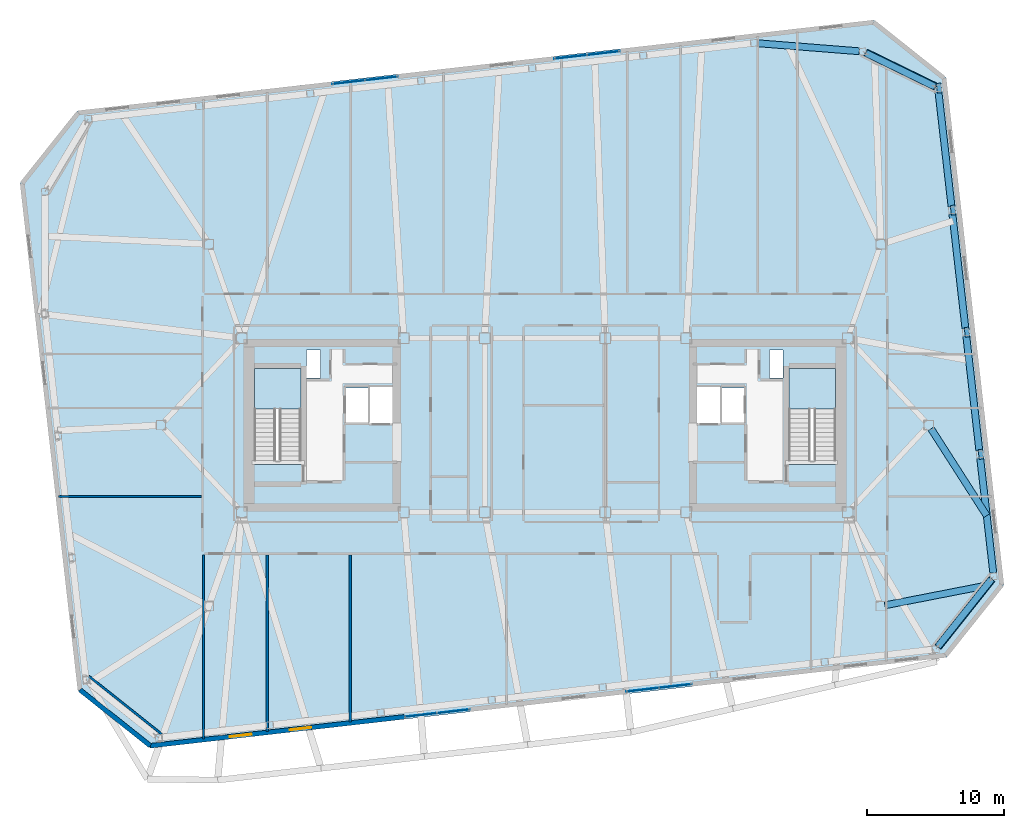
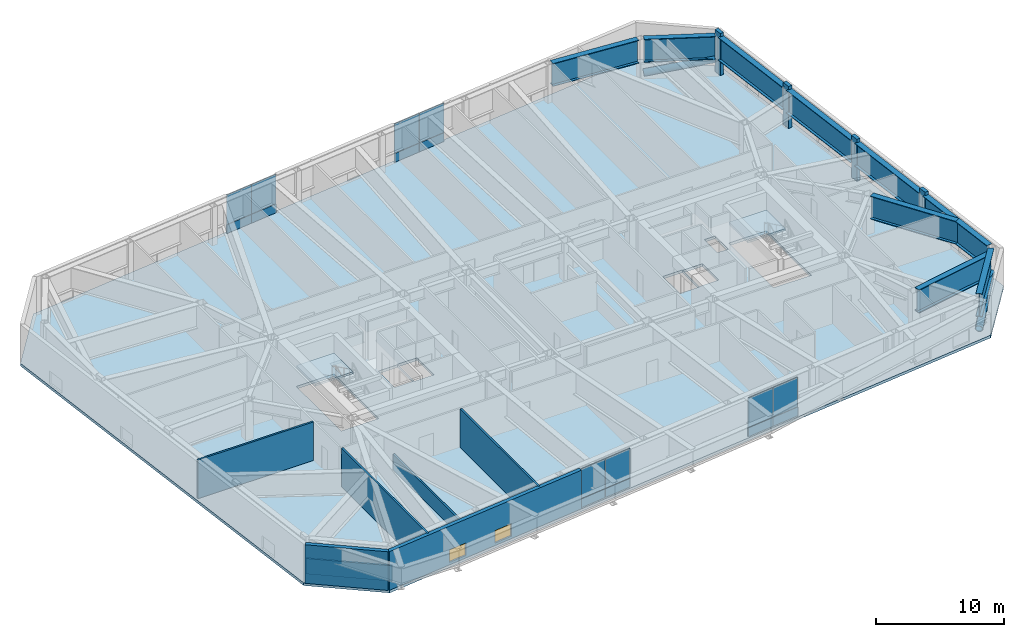
# One storey, part 11 of 18: 16 plates, 9 beams, 7 walls, 6 members, 3 slabs, 2 windows, 2 openings, 6 elements without a shape of their own.
"""IFC4 building model written with IfcOpenShell, lengths in metres."""

from ifc_helpers import new_model, si_unit, direction, frame, frame_2d, origin, origin_2d, place, context, subcontext, project, spatial, polyline, rectangle, hollow_circle, i_section, outline, extrude, material, layer, layer_set, material_profile, profile_set, type_object, element, fill, aggregate, save


model = new_model("IFC4")

# Units and contexts
model_context = context("Model", 3, precision=1e-05, world=origin(), true_north=direction((0.0, 1.0)))
body_context = subcontext(model_context, "Body", "Model", "MODEL_VIEW")
ifc_project = project(units=[si_unit("LENGTHUNIT", "METRE"), si_unit("AREAUNIT", "SQUARE_METRE"), si_unit("VOLUMEUNIT", "CUBIC_METRE"), si_unit("PLANEANGLEUNIT", "RADIAN"), si_unit("MASSUNIT", "GRAM", prefix="KILO")], contexts=[model_context])

# Site, building, storey
site_placement = place(None, origin())
site = spatial("IfcSite", under=ifc_project, at=site_placement, CompositionType="ELEMENT")
building_placement = place(site_placement, origin())
building = spatial("IfcBuilding", under=site, at=building_placement, Name="Tavrogorsk Clinical Tower", CompositionType="ELEMENT")
storey_placement = place(building_placement, frame((0.0, 0.0, 267.0)))
storey = spatial("IfcBuildingStorey", under=building, at=storey_placement, Name="L62", CompositionType="ELEMENT", Elevation=267.0)

# Members
ifc_material_1 = material(Name="Structural steel S440", Category="steel")
ifc_material_profile_1 = material_profile(ifc_material_1, hollow_circle(Radius=0.304931640625, WallThickness=0.02490234375, at=origin_2d()), Name="CHS-610x25")
ifc_profile_set_1 = profile_set([ifc_material_profile_1], Name="Structural steel S440")
member_type_1 = type_object("IfcMemberType", Name="ExoBrace_CHS610", PredefinedType="BRACE", material=ifc_profile_set_1)
member_1_placement = place(storey_placement, frame((28.6669921875, -16.146240234375, 0.34228515625), z_axis=(0.614073282176, 0.771973457225, 0.164228455079), x_axis=(-0.782599332136, 0.622525730665, 0.0)))
element("IfcMember", 1, at=member_1_placement, inside=storey, type_object=member_type_1, Name="L62 Corner Exoskeleton Brace S8-E1", PredefinedType="BRACE", context=body_context, shape_type="SweptSolid", body=[
    extrude(hollow_circle(Radius=0.304931640625, WallThickness=0.02490234375, at=origin_2d()), origin(), (0.0, 0.0, 1.0), 6.365478515625),
])
member_2_placement = place(storey_placement, frame((23.416259765625, 27.14208984375, 0.346923828125), z_axis=(0.883834460699, -0.430963085081, 0.181954569547), x_axis=(0.438279308687, 0.898838832927, 0.0)))
element("IfcMember", 2, at=member_2_placement, inside=storey, type_object=member_type_1, Name="L62 Corner Exoskeleton Brace E5-N1", PredefinedType="BRACE", context=body_context, shape_type="SweptSolid", body=[
    extrude(hollow_circle(Radius=0.304931640625, WallThickness=0.02490234375, at=origin_2d()), origin(), (0.0, 0.0, 1.0), 5.694580078125),
])
ifc_material_2 = material(Name="Precast concrete B45 with limestone cladding", Category="masonry")
ifc_material_profile_2 = material_profile(ifc_material_2, rectangle(XDim=0.320068359375, YDim=0.719970703125, at=origin_2d()), Name="LIMESTONE-FIN-320x720")
ifc_profile_set_2 = profile_set([ifc_material_profile_2], Name="Precast concrete B45 with limestone cladding")
member_type_2 = type_object("IfcMemberType", Name="LimestonePleatFin_320x720", PredefinedType="USERDEFINED", material=ifc_profile_set_2)
for number, where, z_axis, x_axis, name in (
    (3, (31.799560546875, -2.121337890625, 0.0), (0.0, 0.0, 1.0), (0.993571855677, 0.113203213768, 0.0), "L62 E Pleated Stone Fin 1"),
    (4, (30.785400390625, 6.781005859375, 0.0), (0.0, 0.0, 1.0), (0.993571855677, 0.113203213768, 0.0), "L62 E Pleated Stone Fin 2"),
    (5, (29.77099609375, 15.683349609375, 0.0), (0.0, 0.0, 1.0), (0.993571855677, 0.113203213768, 0.0), "L62 E Pleated Stone Fin 3"),
    (6, (28.756591796875, 24.585693359375, 0.0), (0.0, 0.0, 1.0), (0.993571855677, 0.113203213768, 0.0), "L62 E Pleated Stone Fin 4"),
):
    element("IfcMember", number, at=place(storey_placement, frame(where, z_axis=z_axis, x_axis=x_axis)), inside=storey, type_object=member_type_2, Name=name, ObjectType="FIN", PredefinedType="USERDEFINED", context=body_context, shape_type="SweptSolid", body=[
        extrude(rectangle(XDim=0.320068359375, YDim=0.719970703125, at=origin_2d()), origin(), (0.0, 0.0, 1.0), 4.0),
    ])

# Beams
ifc_material_3 = material(Name="Structural steel S440", Category="steel")
ifc_material_profile_3 = material_profile(ifc_material_3, i_section(OverallWidth=0.5, OverallDepth=2.199951171875, WebThickness=0.035888671875, FlangeThickness=0.054931640625, at=origin_2d()), Name="DK-2200x500x36x55")
ifc_profile_set_3 = profile_set([ifc_material_profile_3], Name="Structural steel S440")
beam_type = type_object("IfcBeamType", Name="TransferGirder_DK2200", PredefinedType="USERDEFINED", material=ifc_profile_set_3)
beam_1_placement = place(storey_placement, frame((28.669189453125, -16.1435546875, 2.580078125), z_axis=(0.622513813188, 0.782608811853, 0.0), x_axis=(-0.782608811853, 0.622513813188, 0.0)))
element("IfcBeam", 7, at=beam_1_placement, inside=storey, type_object=beam_type, Name="L62 Perimeter Spandrel S8-E1", ObjectType="GIRDER", PredefinedType="USERDEFINED", context=body_context, shape_type="SweptSolid", body=[
    extrude(i_section(OverallWidth=0.5, OverallDepth=2.199951171875, WebThickness=0.035888671875, FlangeThickness=0.054931640625, at=origin_2d()), origin(), (0.0, 0.0, 1.0), 6.272216796875),
])
for number, where, z_axis, x_axis, name in (
    (8, (32.705078125, -10.776611328125, 2.580078125), (-0.113191877531, 0.993573147212, 0.0), (-0.993573147212, -0.113191877531, 0.0), "L62 Perimeter Spandrel E1-E2"),
    (9, (31.69091796875, -1.874267578125, 2.580078125), (-0.113191877531, 0.993573147212, 0.0), (-0.993573147212, -0.113191877531, 0.0), "L62 Perimeter Spandrel E2-E3"),
):
    element("IfcBeam", number, at=place(storey_placement, frame(where, z_axis=z_axis, x_axis=x_axis)), inside=storey, type_object=beam_type, Name=name, ObjectType="GIRDER", PredefinedType="USERDEFINED", context=body_context, shape_type="SweptSolid", body=[
        extrude(i_section(OverallWidth=0.5, OverallDepth=2.199951171875, WebThickness=0.035888671875, FlangeThickness=0.054931640625, at=origin_2d()), origin(), (0.0, 0.0, 1.0), 8.444091796875),
    ])
for number, where, z_axis, x_axis, name in (
    (10, (30.676513671875, 7.0283203125, 2.580078125), (-0.113195129234, 0.99357277676, 0.0), (-0.99357277676, -0.113195129234, 0.0), "L62 Perimeter Spandrel E3-E4"),
    (11, (29.662353515625, 15.9306640625, 2.580078125), (-0.113223671813, 0.993569524563, 0.0), (-0.993569524563, -0.113223671813, 0.0), "L62 Perimeter Spandrel E4-E5"),
):
    element("IfcBeam", number, at=place(storey_placement, frame(where, z_axis=z_axis, x_axis=x_axis)), inside=storey, type_object=beam_type, Name=name, ObjectType="GIRDER", PredefinedType="USERDEFINED", context=body_context, shape_type="SweptSolid", body=[
        extrude(i_section(OverallWidth=0.5, OverallDepth=2.199951171875, WebThickness=0.035888671875, FlangeThickness=0.054931640625, at=origin_2d()), origin(), (0.0, 0.0, 1.0), 8.44384765625),
    ])
beam_2_placement = place(storey_placement, frame((28.4453125, 24.689697265625, 2.580078125), z_axis=(-0.898811248667, 0.438335874951, 0.0), x_axis=(-0.438335874951, -0.898811248667, 0.0)))
element("IfcBeam", 12, at=beam_2_placement, inside=storey, type_object=beam_type, Name="L62 Perimeter Spandrel E5-N1", ObjectType="GIRDER", PredefinedType="USERDEFINED", context=body_context, shape_type="SweptSolid", body=[
    extrude(i_section(OverallWidth=0.5, OverallDepth=2.199951171875, WebThickness=0.035888671875, FlangeThickness=0.054931640625, at=origin_2d()), origin(), (0.0, 0.0, 1.0), 5.5908203125),
])
beam_3_placement = place(storey_placement, frame((22.930908203125, 27.273681640625, 2.580078125), z_axis=(-0.996881705424, 0.078910489738, 0.0), x_axis=(-0.078910489738, -0.996881705424, 0.0)))
element("IfcBeam", 13, at=beam_3_placement, inside=storey, type_object=beam_type, Name="L62 Perimeter Spandrel N1-N2", ObjectType="GIRDER", PredefinedType="USERDEFINED", context=body_context, shape_type="SweptSolid", body=[
    extrude(i_section(OverallWidth=0.5, OverallDepth=2.199951171875, WebThickness=0.035888671875, FlangeThickness=0.054931640625, at=origin_2d()), origin(), (0.0, 0.0, 1.0), 7.428466796875),
])
beam_4_placement = place(storey_placement, frame((24.80419921875, -13.140625, 2.580078125), z_axis=(0.981456897615, 0.191682962528, 0.0), x_axis=(-0.191682962528, 0.981456897615, 0.0)))
element("IfcBeam", 14, at=beam_4_placement, inside=storey, type_object=beam_type, Name="L63 Block Transfer Girder E1", ObjectType="GIRDER", PredefinedType="USERDEFINED", context=body_context, shape_type="SweptSolid", body=[
    extrude(i_section(OverallWidth=0.5, OverallDepth=2.199951171875, WebThickness=0.035888671875, FlangeThickness=0.054931640625, at=origin_2d()), origin(), (0.0, 0.0, 1.0), 7.5439453125),
])
beam_5_placement = place(storey_placement, frame((28.167236328125, -0.260986328125, 2.580078125), z_axis=(0.539442793911, -0.842022251545, 0.0), x_axis=(0.842022251545, 0.539442793911, 0.0)))
element("IfcBeam", 15, at=beam_5_placement, inside=storey, type_object=beam_type, Name="L63 Block Transfer Girder E2", ObjectType="GIRDER", PredefinedType="USERDEFINED", context=body_context, shape_type="SweptSolid", body=[
    extrude(i_section(OverallWidth=0.5, OverallDepth=2.199951171875, WebThickness=0.035888671875, FlangeThickness=0.054931640625, at=origin_2d()), origin(), (0.0, 0.0, 1.0), 7.530517578125),
])

# Curtain wall, plates
ifc_material_4 = material(Name="Anodised aluminium and triple IGU glazing", Category="aluminium")
ifc_layer_1 = layer(ifc_material_4, 0.179931640625)
ifc_layer_set_1 = layer_set([ifc_layer_1], Name="Anodised aluminium and triple IGU glazing")
curtain_wall_type_1 = type_object("IfcCurtainWallType", Name="CW3_SouthSlot", PredefinedType="NOTDEFINED", material=ifc_layer_set_1)
curtain_wall_1_placement = place(storey_placement, origin())
curtain_wall_1 = element("IfcCurtainWall", 16, at=curtain_wall_1_placement, inside=storey, type_object=curtain_wall_type_1, Name="L62 Curtain Wall CW-L62-S-SLOT-1", PredefinedType="NOTDEFINED")
ifc_material_5 = material(Name="Honed Podolsk limestone spandrel panel", Category="masonry")
ifc_layer_2 = layer(ifc_material_5, 0.080078125)
ifc_layer_set_2 = layer_set([ifc_layer_2], Name="Honed Podolsk limestone spandrel panel")
plate_type_1 = type_object("IfcPlateType", Name="CwSpandrelStonePanel_80", PredefinedType="CURTAIN_PANEL", material=ifc_layer_set_2)
plate_1_placement = place(storey_placement, frame((-9.066650390625, -21.139892578125, 0.001953125), z_axis=(0.0, 0.0, 1.0), x_axis=(0.993571855603, 0.11320321441, 0.0)))
plate_1 = element("IfcPlate", 17, at=plate_1_placement, type_object=plate_type_1, Name="CW-L62-S-SLOT-1 Stone Spandrel Panel 1", PredefinedType="CURTAIN_PANEL", context=body_context, shape_type="SweptSolid", body=[
    extrude(rectangle(XDim=2.39208984375, YDim=0.080078125, at=origin_2d()), origin(), (0.0, 0.0, 1.0), 0.8359375),
])
plate_2_placement = place(storey_placement, frame((-6.666259765625, -20.866455078125, 0.001953125), z_axis=(0.0, 0.0, 1.0), x_axis=(0.993571855603, 0.11320321441, 0.0)))
plate_2 = element("IfcPlate", 18, at=plate_2_placement, type_object=plate_type_1, Name="CW-L62-S-SLOT-1 Stone Spandrel Panel 2", PredefinedType="CURTAIN_PANEL", context=body_context, shape_type="SweptSolid", body=[
    extrude(rectangle(XDim=2.39208984375, YDim=0.080078125, at=origin_2d()), origin(), (0.0, 0.0, 1.0), 0.8359375),
])

curtain_wall_2_placement = place(storey_placement, origin())
curtain_wall_2 = element("IfcCurtainWall", 19, at=curtain_wall_2_placement, inside=storey, type_object=curtain_wall_type_1, Name="L62 Curtain Wall CW-L62-S-SLOT-2", PredefinedType="NOTDEFINED")
plate_3_placement = place(storey_placement, frame((7.125732421875, -19.294921875, 0.001953125), z_axis=(0.0, 0.0, 1.0), x_axis=(0.993571855603, 0.11320321441, 0.0)))
plate_3 = element("IfcPlate", 20, at=plate_3_placement, type_object=plate_type_1, Name="CW-L62-S-SLOT-2 Stone Spandrel Panel 1", PredefinedType="CURTAIN_PANEL", context=body_context, shape_type="SweptSolid", body=[
    extrude(rectangle(XDim=2.39208984375, YDim=0.080078125, at=origin_2d()), origin(), (0.0, 0.0, 1.0), 0.8359375),
])
plate_4_placement = place(storey_placement, frame((9.526123046875, -19.021484375, 0.001953125), z_axis=(0.0, 0.0, 1.0), x_axis=(0.993571855603, 0.11320321441, 0.0)))
plate_4 = element("IfcPlate", 21, at=plate_4_placement, type_object=plate_type_1, Name="CW-L62-S-SLOT-2 Stone Spandrel Panel 2", PredefinedType="CURTAIN_PANEL", context=body_context, shape_type="SweptSolid", body=[
    extrude(rectangle(XDim=2.39208984375, YDim=0.080078125, at=origin_2d()), origin(), (0.0, 0.0, 1.0), 0.8359375),
])

ifc_material_6 = material(Name="Anodised aluminium and triple IGU glazing", Category="aluminium")
ifc_layer_3 = layer(ifc_material_6, 0.179931640625)
ifc_layer_set_3 = layer_set([ifc_layer_3], Name="Anodised aluminium and triple IGU glazing")
curtain_wall_type_2 = type_object("IfcCurtainWallType", Name="CW2_NorthSlot", PredefinedType="NOTDEFINED", material=ifc_layer_set_3)
curtain_wall_3_placement = place(storey_placement, origin())
curtain_wall_3 = element("IfcCurtainWall", 22, at=curtain_wall_3_placement, inside=storey, type_object=curtain_wall_type_2, Name="L62 Curtain Wall CW-L62-N-SLOT-1", PredefinedType="NOTDEFINED")
plate_5_placement = place(storey_placement, frame((-11.92578125, 25.294921875, 0.001953125), z_axis=(0.0, 0.0, 1.0), x_axis=(-0.993571855603, -0.11320321441, 0.0)))
plate_5 = element("IfcPlate", 23, at=plate_5_placement, type_object=plate_type_1, Name="CW-L62-N-SLOT-1 Stone Spandrel Panel 1", PredefinedType="CURTAIN_PANEL", context=body_context, shape_type="SweptSolid", body=[
    extrude(rectangle(XDim=2.39208984375, YDim=0.080078125, at=origin_2d()), origin(), (0.0, 0.0, 1.0), 0.8359375),
])
plate_6_placement = place(storey_placement, frame((-14.326171875, 25.021484375, 0.001953125), z_axis=(0.0, 0.0, 1.0), x_axis=(-0.993571855603, -0.11320321441, 0.0)))
plate_6 = element("IfcPlate", 24, at=plate_6_placement, type_object=plate_type_1, Name="CW-L62-N-SLOT-1 Stone Spandrel Panel 2", PredefinedType="CURTAIN_PANEL", context=body_context, shape_type="SweptSolid", body=[
    extrude(rectangle(XDim=2.39208984375, YDim=0.080078125, at=origin_2d()), origin(), (0.0, 0.0, 1.0), 0.8359375),
])

curtain_wall_4_placement = place(storey_placement, origin())
curtain_wall_4 = element("IfcCurtainWall", 25, at=curtain_wall_4_placement, inside=storey, type_object=curtain_wall_type_2, Name="L62 Curtain Wall CW-L62-N-SLOT-2", PredefinedType="NOTDEFINED")
plate_7_placement = place(storey_placement, frame((4.266845703125, 27.139892578125, 0.001953125), z_axis=(0.0, 0.0, 1.0), x_axis=(-0.993571855603, -0.11320321441, 0.0)))
plate_7 = element("IfcPlate", 26, at=plate_7_placement, type_object=plate_type_1, Name="CW-L62-N-SLOT-2 Stone Spandrel Panel 1", PredefinedType="CURTAIN_PANEL", context=body_context, shape_type="SweptSolid", body=[
    extrude(rectangle(XDim=2.39208984375, YDim=0.080078125, at=origin_2d()), origin(), (0.0, 0.0, 1.0), 0.8359375),
])
plate_8_placement = place(storey_placement, frame((1.8662109375, 26.866455078125, 0.001953125), z_axis=(0.0, 0.0, 1.0), x_axis=(-0.993571855603, -0.11320321441, 0.0)))
plate_8 = element("IfcPlate", 27, at=plate_8_placement, type_object=plate_type_1, Name="CW-L62-N-SLOT-2 Stone Spandrel Panel 2", PredefinedType="CURTAIN_PANEL", context=body_context, shape_type="SweptSolid", body=[
    extrude(rectangle(XDim=2.39208984375, YDim=0.080078125, at=origin_2d()), origin(), (0.0, 0.0, 1.0), 0.8359375),
])

# Plate
ifc_material_7 = material(Name="Triple low-E argon insulated glass", Category="glass")
ifc_layer_4 = layer(ifc_material_7, 0.048095703125)
ifc_layer_set_4 = layer_set([ifc_layer_4], Name="Triple low-E argon insulated glass")
plate_type_2 = type_object("IfcPlateType", Name="CwVisionGlassPanel_48", PredefinedType="CURTAIN_PANEL", material=ifc_layer_set_4)
plate_9_placement = place(storey_placement, frame((-9.066650390625, -21.139892578125, 0.862060546875), z_axis=(0.0, 0.0, 1.0), x_axis=(0.993571855603, 0.11320321441, 0.0)))
plate_9 = element("IfcPlate", 28, at=plate_9_placement, type_object=plate_type_2, Name="CW-L62-S-SLOT-1 Glazing Panel 1", PredefinedType="CURTAIN_PANEL", context=body_context, shape_type="SweptSolid", body=[
    extrude(rectangle(XDim=2.39208984375, YDim=0.048095703125, at=origin_2d()), origin(), (0.0, 0.0, 1.0), 2.81591796875),
])

plate_10_placement = place(storey_placement, frame((-6.666259765625, -20.866455078125, 0.862060546875), z_axis=(0.0, 0.0, 1.0), x_axis=(0.993571855603, 0.11320321441, 0.0)))
plate_10 = element("IfcPlate", 29, at=plate_10_placement, type_object=plate_type_2, Name="CW-L62-S-SLOT-1 Glazing Panel 2", PredefinedType="CURTAIN_PANEL", context=body_context, shape_type="SweptSolid", body=[
    extrude(rectangle(XDim=2.39208984375, YDim=0.048095703125, at=origin_2d()), origin(), (0.0, 0.0, 1.0), 2.81591796875),
])

aggregate(curtain_wall_1, [plate_1, plate_9, plate_2, plate_10])

plate_11_placement = place(storey_placement, frame((7.125732421875, -19.294921875, 0.862060546875), z_axis=(0.0, 0.0, 1.0), x_axis=(0.993571855603, 0.11320321441, 0.0)))
plate_11 = element("IfcPlate", 30, at=plate_11_placement, type_object=plate_type_2, Name="CW-L62-S-SLOT-2 Glazing Panel 1", PredefinedType="CURTAIN_PANEL", context=body_context, shape_type="SweptSolid", body=[
    extrude(rectangle(XDim=2.39208984375, YDim=0.048095703125, at=origin_2d()), origin(), (0.0, 0.0, 1.0), 2.81591796875),
])

plate_12_placement = place(storey_placement, frame((9.526123046875, -19.021484375, 0.862060546875), z_axis=(0.0, 0.0, 1.0), x_axis=(0.993571855603, 0.11320321441, 0.0)))
plate_12 = element("IfcPlate", 31, at=plate_12_placement, type_object=plate_type_2, Name="CW-L62-S-SLOT-2 Glazing Panel 2", PredefinedType="CURTAIN_PANEL", context=body_context, shape_type="SweptSolid", body=[
    extrude(rectangle(XDim=2.39208984375, YDim=0.048095703125, at=origin_2d()), origin(), (0.0, 0.0, 1.0), 2.81591796875),
])

aggregate(curtain_wall_2, [plate_3, plate_11, plate_4, plate_12])

plate_13_placement = place(storey_placement, frame((-11.92578125, 25.294921875, 0.862060546875), z_axis=(0.0, 0.0, 1.0), x_axis=(-0.993571855603, -0.11320321441, 0.0)))
plate_13 = element("IfcPlate", 32, at=plate_13_placement, type_object=plate_type_2, Name="CW-L62-N-SLOT-1 Glazing Panel 1", PredefinedType="CURTAIN_PANEL", context=body_context, shape_type="SweptSolid", body=[
    extrude(rectangle(XDim=2.39208984375, YDim=0.048095703125, at=origin_2d()), origin(), (0.0, 0.0, 1.0), 2.81591796875),
])

plate_14_placement = place(storey_placement, frame((-14.326171875, 25.021484375, 0.862060546875), z_axis=(0.0, 0.0, 1.0), x_axis=(-0.993571855603, -0.11320321441, 0.0)))
plate_14 = element("IfcPlate", 33, at=plate_14_placement, type_object=plate_type_2, Name="CW-L62-N-SLOT-1 Glazing Panel 2", PredefinedType="CURTAIN_PANEL", context=body_context, shape_type="SweptSolid", body=[
    extrude(rectangle(XDim=2.39208984375, YDim=0.048095703125, at=origin_2d()), origin(), (0.0, 0.0, 1.0), 2.81591796875),
])

aggregate(curtain_wall_3, [plate_5, plate_13, plate_6, plate_14])

plate_15_placement = place(storey_placement, frame((4.266845703125, 27.139892578125, 0.862060546875), z_axis=(0.0, 0.0, 1.0), x_axis=(-0.993571855603, -0.11320321441, 0.0)))
plate_15 = element("IfcPlate", 34, at=plate_15_placement, type_object=plate_type_2, Name="CW-L62-N-SLOT-2 Glazing Panel 1", PredefinedType="CURTAIN_PANEL", context=body_context, shape_type="SweptSolid", body=[
    extrude(rectangle(XDim=2.39208984375, YDim=0.048095703125, at=origin_2d()), origin(), (0.0, 0.0, 1.0), 2.81591796875),
])

plate_16_placement = place(storey_placement, frame((1.8662109375, 26.866455078125, 0.862060546875), z_axis=(0.0, 0.0, 1.0), x_axis=(-0.993571855603, -0.11320321441, 0.0)))
plate_16 = element("IfcPlate", 35, at=plate_16_placement, type_object=plate_type_2, Name="CW-L62-N-SLOT-2 Glazing Panel 2", PredefinedType="CURTAIN_PANEL", context=body_context, shape_type="SweptSolid", body=[
    extrude(rectangle(XDim=2.39208984375, YDim=0.048095703125, at=origin_2d()), origin(), (0.0, 0.0, 1.0), 2.81591796875),
])

aggregate(curtain_wall_4, [plate_7, plate_15, plate_8, plate_16])

# Stair, slab
ifc_material_8 = material(Name="Concrete B60", Category="concrete")
stair_type = type_object("IfcStairType", Name="CoreStairAssembly", PredefinedType="HALF_TURN_STAIR", material=ifc_material_8)
stair_1_placement = place(storey_placement, origin())
stair_1 = element("IfcStair", 36, at=stair_1_placement, inside=storey, type_object=stair_type, Name="L62 ST-W", PredefinedType="HALF_TURN_STAIR")
ifc_material_9 = material(Name="Concrete B60", Category="concrete")
ifc_layer_5 = layer(ifc_material_9, 0.199951171875)
ifc_layer_set_5 = layer_set([ifc_layer_5], Name="Concrete B60")
slab_type_1 = type_object("IfcSlabType", Name="StairLanding_200", PredefinedType="LANDING", material=ifc_layer_set_5)
slab_1_placement = place(storey_placement, frame((0.0, 0.0, 1.800048828125)))
slab_1 = element("IfcSlab", 37, at=slab_1_placement, type_object=slab_type_1, Name="ST-W landing 1", PredefinedType="LANDING", context=body_context, shape_type="SweptSolid", body=[
    extrude(outline(polyline([(-17.800048828125, 1.1650390625), (-17.800048828125, 4.125), (-21.199951171875, 4.125), (-21.199951171875, 1.1650390625), (-17.800048828125, 1.1650390625)])), origin(), (0.0, 0.0, 1.0), 0.199951171875),
])
aggregate(stair_1, [slab_1])

stair_2_placement = place(storey_placement, origin())
stair_2 = element("IfcStair", 38, at=stair_2_placement, inside=storey, type_object=stair_type, Name="L62 ST-E", PredefinedType="HALF_TURN_STAIR")
slab_2_placement = place(storey_placement, frame((0.0, 0.0, 1.800048828125)))
slab_2 = element("IfcSlab", 39, at=slab_2_placement, type_object=slab_type_1, Name="ST-E landing 1", PredefinedType="LANDING", context=body_context, shape_type="SweptSolid", body=[
    extrude(outline(polyline([(21.199951171875, 1.1650390625), (21.199951171875, 4.125), (17.800048828125, 4.125), (17.800048828125, 1.1650390625), (21.199951171875, 1.1650390625)])), origin(), (0.0, 0.0, 1.0), 0.199951171875),
])
aggregate(stair_2, [slab_2])

# Slab
ifc_material_10 = material(Name="Concrete B60", Category="concrete")
ifc_layer_6 = layer(ifc_material_10, 0.260009765625)
ifc_layer_set_6 = layer_set([ifc_layer_6], Name="Concrete B60")
slab_type_2 = type_object("IfcSlabType", Name="WardSlab_260", PredefinedType="FLOOR", material=ifc_layer_set_6)
slab_3_placement = place(storey_placement, frame((0.0, 0.0, -0.260009765625)))
element("IfcSlab", 40, at=slab_3_placement, inside=storey, type_object=slab_type_2, Name="L62 Structural Slab", PredefinedType="FLOOR", context=body_context, shape_type="SweptSolid", body=[
    extrude(outline(polyline([(-28.76318359375, -23.55517578125), (29.26123046875, -16.944091796875), (33.487060546875, -11.631591796875), (29.27587890625, 25.329345703125), (23.96337890625, 29.55517578125), (-34.061279296875, 22.944091796875), (-38.287109375, 17.631591796875), (-34.075927734375, -19.329345703125), (-28.76318359375, -23.55517578125)]), holes=[polyline([(-17.800048828125, -2.8798828125), (-17.800048828125, 4.125), (-21.199951171875, 4.125), (-21.199951171875, -2.8798828125), (-17.800048828125, -2.8798828125)]), polyline([(21.199951171875, -2.8798828125), (21.199951171875, 4.125), (17.800048828125, 4.125), (17.800048828125, -2.8798828125), (21.199951171875, -2.8798828125)]), polyline([(-14.6201171875, 0.169921875), (-12.860107421875, 0.169921875), (-12.860107421875, 2.72998046875), (-14.6201171875, 2.72998046875), (-14.6201171875, 0.169921875)]), polyline([(-12.840087890625, 0.1201171875), (-11.080078125, 0.1201171875), (-11.080078125, 2.780029296875), (-12.840087890625, 2.780029296875), (-12.840087890625, 0.1201171875)]), polyline([(12.860107421875, 0.169921875), (14.6201171875, 0.169921875), (14.6201171875, 2.72998046875), (12.860107421875, 2.72998046875), (12.860107421875, 0.169921875)]), polyline([(11.080078125, 0.1201171875), (12.840087890625, 0.1201171875), (12.840087890625, 2.780029296875), (11.080078125, 2.780029296875), (11.080078125, 0.1201171875)]), polyline([(-17.3798828125, 3.449951171875), (-16.3798828125, 3.449951171875), (-16.3798828125, 5.5), (-17.3798828125, 5.5), (-17.3798828125, 3.449951171875)]), polyline([(16.3798828125, 3.449951171875), (17.3798828125, 3.449951171875), (17.3798828125, 5.5), (16.3798828125, 5.5), (16.3798828125, 3.449951171875)])]), origin(), (0.0, 0.0, 1.0), 0.260009765625),
])

# Walls
ifc_material_11 = material(Name="Lightweight concrete blockwork B15", Category="masonry")
ifc_layer_7 = layer(ifc_material_11, 0.159912109375)
ifc_layer_set_7 = layer_set([ifc_layer_7], Name="Lightweight concrete blockwork B15")
wall_type_1 = type_object("IfcWallType", Name="PartitionWall_160", PredefinedType="PARTITIONING", material=ifc_layer_set_7)
wall_1_placement = place(storey_placement, frame((-33.265380859375, -18.310546875, 0.0), z_axis=(0.0, 0.0, 1.0), x_axis=(0.782602647064, -0.622521563328, 0.0)))
element("IfcWall", 41, at=wall_1_placement, inside=storey, type_object=wall_type_1, Name="L62 Corner Exoskeleton Brace Furring Wall 4", PredefinedType="PARTITIONING", context=body_context, shape_type="SweptSolid", body=[
    extrude(rectangle(XDim=6.788330078125, YDim=0.159912109375, at=frame_2d((3.39404296875, 0.0))), origin(), (0.0, 0.0, 1.0), 1.47509765625),
])
wall_2_placement = place(storey_placement, frame((-24.89990234375, -22.873291015625, 0.0), z_axis=(0.0, 0.0, 1.0), x_axis=(0.0, 1.0, 0.0)))
element("IfcWall", 42, at=wall_2_placement, inside=storey, type_object=wall_type_1, Name="L62 SW Wing Closure Partition", PredefinedType="PARTITIONING", context=body_context, shape_type="SweptSolid", body=[
    extrude(rectangle(XDim=13.408203125, YDim=0.159912109375, at=frame_2d((6.7041015625, 0.0))), origin(), (0.0, 0.0, 1.0), 3.679931640625),
])
wall_3_placement = place(storey_placement, frame((-20.25, -22.343505859375, 0.0), z_axis=(0.0, 0.0, 1.0), x_axis=(0.0, 1.0, 0.0)))
element("IfcWall", 43, at=wall_3_placement, inside=storey, type_object=wall_type_1, Name="L62 South Room Partition 1", PredefinedType="PARTITIONING", context=body_context, shape_type="SweptSolid", body=[
    extrude(rectangle(XDim=12.87841796875, YDim=0.159912109375, at=frame_2d((6.439208984375, 0.0))), origin(), (0.0, 0.0, 1.0), 1.47509765625),
])
wall_4_placement = place(storey_placement, frame((-14.199951171875, -21.654296875, 0.0), z_axis=(0.0, 0.0, 1.0), x_axis=(0.0, 1.0, 0.0)))
element("IfcWall", 44, at=wall_4_placement, inside=storey, type_object=wall_type_1, Name="L62 South Room Partition 2", PredefinedType="PARTITIONING", context=body_context, shape_type="SweptSolid", body=[
    extrude(rectangle(XDim=12.189208984375, YDim=0.159912109375, at=frame_2d((6.0947265625, 0.0))), origin(), (0.0, 0.0, 1.0), 3.679931640625),
])
wall_5_placement = place(storey_placement, frame((-35.494384765625, -5.199951171875, 0.0), z_axis=(0.0, 0.0, 1.0), x_axis=(1.0, 0.0, 0.0)))
element("IfcWall", 45, at=wall_5_placement, inside=storey, type_object=wall_type_1, Name="L62 W Wing Divider 1", PredefinedType="PARTITIONING", context=body_context, shape_type="SweptSolid", body=[
    extrude(rectangle(XDim=10.429443359375, YDim=0.159912109375, at=frame_2d((5.21484375, 0.0))), origin(), (0.0, 0.0, 1.0), 3.679931640625),
])

# Wall, openings, windows
ifc_material_12 = material(Name="Precast concrete B45 with limestone cladding", Category="masonry")
ifc_layer_8 = layer(ifc_material_12, 0.340087890625)
ifc_layer_set_8 = layer_set([ifc_layer_8], Name="Precast concrete B45 with limestone cladding")
wall_type_2 = type_object("IfcWallType", Name="PrecastLimestoneWall_340", PredefinedType="STANDARD", material=ifc_layer_set_8)
wall_6_placement = place(storey_placement, frame((-28.78271484375, -23.38623046875, 0.0), z_axis=(0.0, 0.0, 1.0), x_axis=(0.993572271362, 0.113199565282, 0.0)))
wall_6 = element("IfcWall", 46, at=wall_6_placement, inside=storey, type_object=wall_type_2, Name="L62 S Limestone Facade Wall 1", PredefinedType="STANDARD", context=body_context, shape_type="SweptSolid", body=[
    extrude(rectangle(XDim=18.6513671875, YDim=0.340087890625, at=frame_2d((9.32568359375, 0.0))), origin(), (0.0, 0.0, 1.0), 3.679931640625),
])
opening_1_placement = place(wall_6_placement, frame((5.82861328125, 0.0, 0.219970703125)))
opening_1 = element("IfcOpeningElement", 47, at=opening_1_placement, cuts=wall_6, Name="Opening WN-09", PredefinedType="OPENING", context=body_context, shape_type="SweptSolid", body=[
    extrude(rectangle(XDim=1.60009765625, YDim=1.199951171875, at=frame_2d((0.800048828125, 0.60009765625))), frame((0.0, 0.179931640625, 0.0), z_axis=(0.0, -1.0, 0.0), x_axis=(1.0, 0.0, 0.0)), (0.0, 0.0, 1.0), 0.360107421875),
])
opening_2_placement = place(wall_6_placement, frame((10.228759765625, 0.0, 0.219970703125)))
opening_2 = element("IfcOpeningElement", 48, at=opening_2_placement, cuts=wall_6, Name="Opening WN-09", PredefinedType="OPENING", context=body_context, shape_type="SweptSolid", body=[
    extrude(rectangle(XDim=1.60009765625, YDim=1.199951171875, at=frame_2d((0.800048828125, 0.60009765625))), frame((0.0, 0.179931640625, 0.0), z_axis=(0.0, -1.0, 0.0), x_axis=(1.0, 0.0, 0.0)), (0.0, 0.0, 1.0), 0.360107421875),
])
ifc_material_13 = material(Name="Thermally broken aluminium frame and triple IGU", Category="aluminium")
window_type = type_object("IfcWindowType", Name="LowHeadTransWin_1600x1200", PartitioningType="DOUBLE_PANEL_VERTICAL", PredefinedType="WINDOW", material=ifc_material_13)
window_1_placement = place(opening_1_placement, origin())
window_1 = element("IfcWindow", 49, at=window_1_placement, inside=storey, type_object=window_type, Name="L62 S Chicago Window 02", OverallHeight=1.199951171875, OverallWidth=1.60009765625, PartitioningType="SINGLE_PANEL", PredefinedType="WINDOW", context=body_context, shape_type="SweptSolid", body=[
    extrude(rectangle(XDim=1.60009765625, YDim=1.199951171875, at=frame_2d((0.800048828125, 0.60009765625))), frame((0.0, 0.030029296875, 0.0), z_axis=(0.0, -1.0, 0.0), x_axis=(1.0, 0.0, 0.0)), (0.0, 0.0, 1.0), 0.06005859375),
])
fill(opening_1, window_1)
window_2_placement = place(opening_2_placement, origin())
window_2 = element("IfcWindow", 50, at=window_2_placement, inside=storey, type_object=window_type, Name="L62 S Chicago Window 03", OverallHeight=1.199951171875, OverallWidth=1.60009765625, PartitioningType="SINGLE_PANEL", PredefinedType="WINDOW", context=body_context, shape_type="SweptSolid", body=[
    extrude(rectangle(XDim=1.60009765625, YDim=1.199951171875, at=frame_2d((0.800048828125, 0.60009765625))), frame((0.0, 0.030029296875, 0.0), z_axis=(0.0, -1.0, 0.0), x_axis=(1.0, 0.0, 0.0)), (0.0, 0.0, 1.0), 0.06005859375),
])
fill(opening_2, window_2)

# Wall
wall_7_placement = place(storey_placement, frame((-33.906982421875, -19.31005859375, 0.0), z_axis=(0.0, 0.0, 1.0), x_axis=(0.782611787794, -0.622510071892, 0.0)))
element("IfcWall", 51, at=wall_7_placement, inside=storey, type_object=wall_type_2, Name="L62 Chamfered Corner Wall 4", PredefinedType="STANDARD", context=body_context, shape_type="SweptSolid", body=[
    extrude(rectangle(XDim=6.5478515625, YDim=0.340087890625, at=frame_2d((3.27392578125, 0.0))), origin(), (0.0, 0.0, 1.0), 3.679931640625),
])

save(model, "model.ifc")
